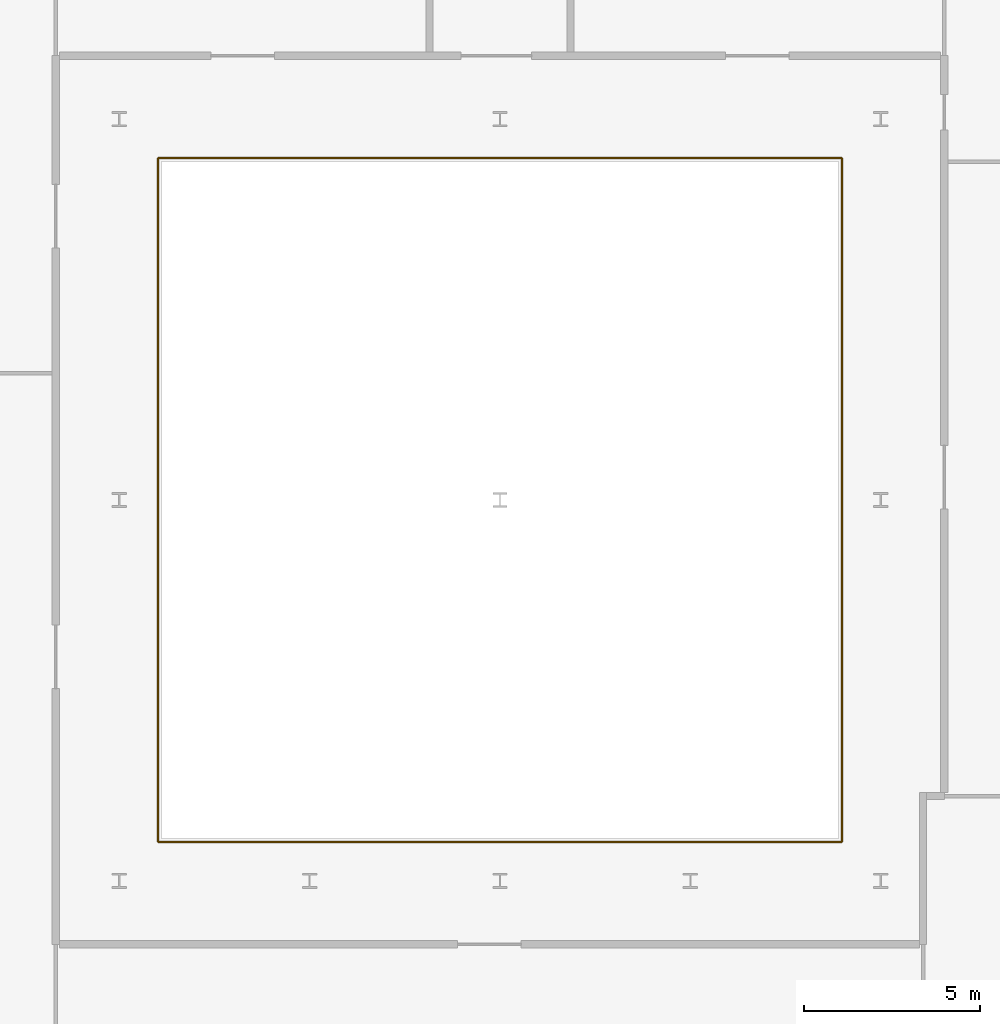
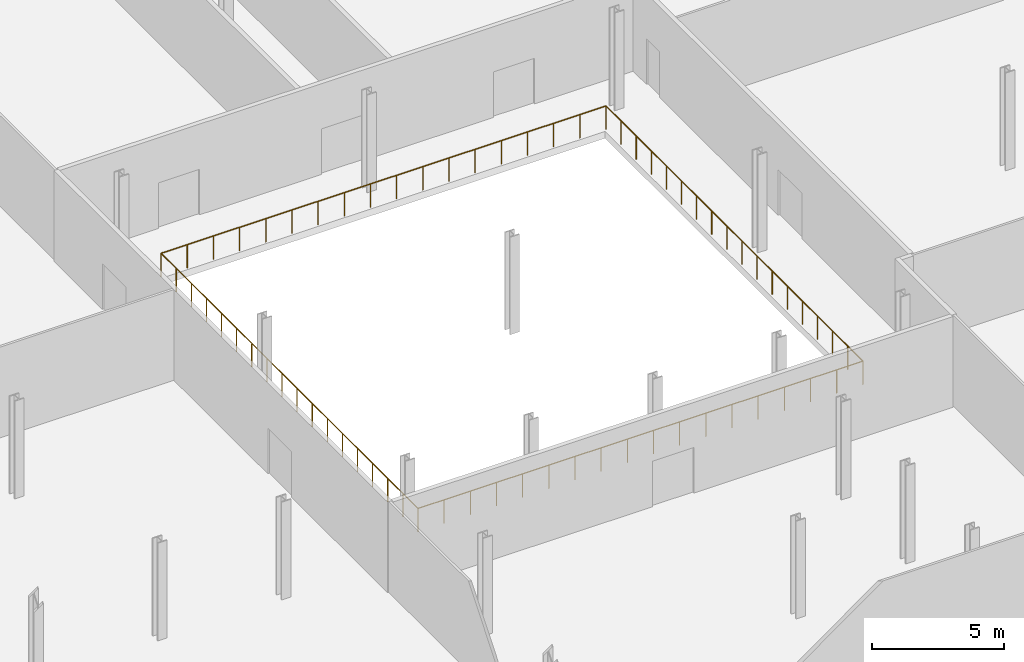
# One storey, part 43 of 47: 1 railing.
"""IFC4 building model written with IfcOpenShell, lengths in metres."""

from ifc_helpers import new_model, si_unit, direction, frame, origin, origin_2d, place, context, subcontext, project, spatial, circle, extrude, material, type_object, element, save


model = new_model("IFC4")

# Units and contexts
model_context = context("Model", 3, precision=1e-05, world=origin(), true_north=direction((0.0, 1.0)))
body_context = subcontext(model_context, "Body", "Model", "MODEL_VIEW")
ifc_project = project(units=[si_unit("LENGTHUNIT", "METRE"), si_unit("AREAUNIT", "SQUARE_METRE"), si_unit("VOLUMEUNIT", "CUBIC_METRE"), si_unit("PLANEANGLEUNIT", "RADIAN"), si_unit("MASSUNIT", "GRAM", prefix="KILO")], contexts=[model_context])

# Site, building, storey
site_placement = place(None, origin())
site = spatial("IfcSite", under=ifc_project, at=site_placement, CompositionType="ELEMENT")
building_placement = place(site_placement, origin())
building = spatial("IfcBuilding", under=site, at=building_placement, Name="Kheshtan School and Residences Tower", CompositionType="ELEMENT")
storey_placement = place(building_placement, frame((0.0, 0.0, 17.0)))
storey = spatial("IfcBuildingStorey", under=building, at=storey_placement, Name="L03", CompositionType="ELEMENT", Elevation=17.0)

# Railing
ifc_material = material(Name="Stainless steel balustrade", Category="steel")
railing_type = type_object("IfcRailingType", Name="Loggia guard 1100", PredefinedType="GUARDRAIL", material=ifc_material)
railing_placement = place(storey_placement, frame((89.699951171875, 46.699951171875, 0.0)))
element("IfcRailing", 1, at=railing_placement, inside=storey, type_object=railing_type, Name="Guard L03 A1", PredefinedType="GUARDRAIL", context=body_context, shape_type="SweptSolid", body=[
    extrude(circle(Radius=0.02392578125, at=origin_2d()), frame((0.0, 0.0, 1.076171875), z_axis=(-1.0, 0.0, 0.0), x_axis=(0.0, -1.0, 0.0)), (0.0, 0.0, 1.0), 19.39990234375),
    extrude(circle(Radius=0.02392578125, at=origin_2d()), frame((-19.39990234375, 0.0, 1.076171875), z_axis=(0.0, 1.0, 0.0), x_axis=(-1.0, 0.0, 0.0)), (0.0, 0.0, 1.0), 19.400146484375),
    extrude(circle(Radius=0.02392578125, at=origin_2d()), frame((-19.39990234375, 19.400146484375, 1.076171875), z_axis=(1.0, 0.0, 0.0), x_axis=(0.0, 1.0, 0.0)), (0.0, 0.0, 1.0), 19.39990234375),
    extrude(circle(Radius=0.02392578125, at=origin_2d()), frame((0.0, 19.400146484375, 1.076171875), z_axis=(0.0, -1.0, 0.0), x_axis=(1.0, 0.0, 0.0)), (0.0, 0.0, 1.0), 19.400146484375),
    extrude(circle(Radius=0.02099609375, at=origin_2d()), origin(), (0.0, 0.0, 1.0), 1.052001953125),
    extrude(circle(Radius=0.02099609375, at=origin_2d()), frame((-1.14111328125, 0.0, 0.0)), (0.0, 0.0, 1.0), 1.052001953125),
    extrude(circle(Radius=0.02099609375, at=origin_2d()), frame((-2.2822265625, 0.0, 0.0)), (0.0, 0.0, 1.0), 1.052001953125),
    extrude(circle(Radius=0.02099609375, at=origin_2d()), frame((-3.423583984375, 0.0, 0.0)), (0.0, 0.0, 1.0), 1.052001953125),
    extrude(circle(Radius=0.02099609375, at=origin_2d()), frame((-4.564697265625, 0.0, 0.0)), (0.0, 0.0, 1.0), 1.052001953125),
    extrude(circle(Radius=0.02099609375, at=origin_2d()), frame((-5.705810546875, 0.0, 0.0)), (0.0, 0.0, 1.0), 1.052001953125),
    extrude(circle(Radius=0.02099609375, at=origin_2d()), frame((-6.846923828125, 0.0, 0.0)), (0.0, 0.0, 1.0), 1.052001953125),
    extrude(circle(Radius=0.02099609375, at=origin_2d()), frame((-7.98828125, 0.0, 0.0)), (0.0, 0.0, 1.0), 1.052001953125),
    extrude(circle(Radius=0.02099609375, at=origin_2d()), frame((-9.12939453125, 0.0, 0.0)), (0.0, 0.0, 1.0), 1.052001953125),
    extrude(circle(Radius=0.02099609375, at=origin_2d()), frame((-10.2705078125, 0.0, 0.0)), (0.0, 0.0, 1.0), 1.052001953125),
    extrude(circle(Radius=0.02099609375, at=origin_2d()), frame((-11.41162109375, 0.0, 0.0)), (0.0, 0.0, 1.0), 1.052001953125),
    extrude(circle(Radius=0.02099609375, at=origin_2d()), frame((-12.552978515625, 0.0, 0.0)), (0.0, 0.0, 1.0), 1.052001953125),
    extrude(circle(Radius=0.02099609375, at=origin_2d()), frame((-13.694091796875, 0.0, 0.0)), (0.0, 0.0, 1.0), 1.052001953125),
    extrude(circle(Radius=0.02099609375, at=origin_2d()), frame((-14.835205078125, 0.0, 0.0)), (0.0, 0.0, 1.0), 1.052001953125),
    extrude(circle(Radius=0.02099609375, at=origin_2d()), frame((-15.976318359375, 0.0, 0.0)), (0.0, 0.0, 1.0), 1.052001953125),
    extrude(circle(Radius=0.02099609375, at=origin_2d()), frame((-17.11767578125, 0.0, 0.0)), (0.0, 0.0, 1.0), 1.052001953125),
    extrude(circle(Radius=0.02099609375, at=origin_2d()), frame((-18.2587890625, 0.0, 0.0)), (0.0, 0.0, 1.0), 1.052001953125),
    extrude(circle(Radius=0.02099609375, at=origin_2d()), frame((-19.39990234375, 0.0, 0.0)), (0.0, 0.0, 1.0), 1.052001953125),
    extrude(circle(Radius=0.02099609375, at=origin_2d()), frame((-19.39990234375, 1.14111328125, 0.0)), (0.0, 0.0, 1.0), 1.052001953125),
    extrude(circle(Radius=0.02099609375, at=origin_2d()), frame((-19.39990234375, 2.282470703125, 0.0)), (0.0, 0.0, 1.0), 1.052001953125),
    extrude(circle(Radius=0.02099609375, at=origin_2d()), frame((-19.39990234375, 3.423583984375, 0.0)), (0.0, 0.0, 1.0), 1.052001953125),
    extrude(circle(Radius=0.02099609375, at=origin_2d()), frame((-19.39990234375, 4.564697265625, 0.0)), (0.0, 0.0, 1.0), 1.052001953125),
    extrude(circle(Radius=0.02099609375, at=origin_2d()), frame((-19.39990234375, 5.705810546875, 0.0)), (0.0, 0.0, 1.0), 1.052001953125),
    extrude(circle(Radius=0.02099609375, at=origin_2d()), frame((-19.39990234375, 6.84716796875, 0.0)), (0.0, 0.0, 1.0), 1.052001953125),
    extrude(circle(Radius=0.02099609375, at=origin_2d()), frame((-19.39990234375, 7.98828125, 0.0)), (0.0, 0.0, 1.0), 1.052001953125),
    extrude(circle(Radius=0.02099609375, at=origin_2d()), frame((-19.39990234375, 9.12939453125, 0.0)), (0.0, 0.0, 1.0), 1.052001953125),
    extrude(circle(Radius=0.02099609375, at=origin_2d()), frame((-19.39990234375, 10.270751953125, 0.0)), (0.0, 0.0, 1.0), 1.052001953125),
    extrude(circle(Radius=0.02099609375, at=origin_2d()), frame((-19.39990234375, 11.411865234375, 0.0)), (0.0, 0.0, 1.0), 1.052001953125),
    extrude(circle(Radius=0.02099609375, at=origin_2d()), frame((-19.39990234375, 12.552978515625, 0.0)), (0.0, 0.0, 1.0), 1.052001953125),
    extrude(circle(Radius=0.02099609375, at=origin_2d()), frame((-19.39990234375, 13.6943359375, 0.0)), (0.0, 0.0, 1.0), 1.052001953125),
    extrude(circle(Radius=0.02099609375, at=origin_2d()), frame((-19.39990234375, 14.83544921875, 0.0)), (0.0, 0.0, 1.0), 1.052001953125),
    extrude(circle(Radius=0.02099609375, at=origin_2d()), frame((-19.39990234375, 15.9765625, 0.0)), (0.0, 0.0, 1.0), 1.052001953125),
    extrude(circle(Radius=0.02099609375, at=origin_2d()), frame((-19.39990234375, 17.11767578125, 0.0)), (0.0, 0.0, 1.0), 1.052001953125),
    extrude(circle(Radius=0.02099609375, at=origin_2d()), frame((-19.39990234375, 18.259033203125, 0.0)), (0.0, 0.0, 1.0), 1.052001953125),
    extrude(circle(Radius=0.02099609375, at=origin_2d()), frame((-19.39990234375, 19.400146484375, 0.0)), (0.0, 0.0, 1.0), 1.052001953125),
    extrude(circle(Radius=0.02099609375, at=origin_2d()), frame((-18.2587890625, 19.400146484375, 0.0)), (0.0, 0.0, 1.0), 1.052001953125),
    extrude(circle(Radius=0.02099609375, at=origin_2d()), frame((-17.11767578125, 19.400146484375, 0.0)), (0.0, 0.0, 1.0), 1.052001953125),
    extrude(circle(Radius=0.02099609375, at=origin_2d()), frame((-15.976318359375, 19.400146484375, 0.0)), (0.0, 0.0, 1.0), 1.052001953125),
    extrude(circle(Radius=0.02099609375, at=origin_2d()), frame((-14.835205078125, 19.400146484375, 0.0)), (0.0, 0.0, 1.0), 1.052001953125),
    extrude(circle(Radius=0.02099609375, at=origin_2d()), frame((-13.694091796875, 19.400146484375, 0.0)), (0.0, 0.0, 1.0), 1.052001953125),
    extrude(circle(Radius=0.02099609375, at=origin_2d()), frame((-12.552978515625, 19.400146484375, 0.0)), (0.0, 0.0, 1.0), 1.052001953125),
    extrude(circle(Radius=0.02099609375, at=origin_2d()), frame((-11.41162109375, 19.400146484375, 0.0)), (0.0, 0.0, 1.0), 1.052001953125),
    extrude(circle(Radius=0.02099609375, at=origin_2d()), frame((-10.2705078125, 19.400146484375, 0.0)), (0.0, 0.0, 1.0), 1.052001953125),
    extrude(circle(Radius=0.02099609375, at=origin_2d()), frame((-9.12939453125, 19.400146484375, 0.0)), (0.0, 0.0, 1.0), 1.052001953125),
    extrude(circle(Radius=0.02099609375, at=origin_2d()), frame((-7.98828125, 19.400146484375, 0.0)), (0.0, 0.0, 1.0), 1.052001953125),
    extrude(circle(Radius=0.02099609375, at=origin_2d()), frame((-6.846923828125, 19.400146484375, 0.0)), (0.0, 0.0, 1.0), 1.052001953125),
    extrude(circle(Radius=0.02099609375, at=origin_2d()), frame((-5.705810546875, 19.400146484375, 0.0)), (0.0, 0.0, 1.0), 1.052001953125),
    extrude(circle(Radius=0.02099609375, at=origin_2d()), frame((-4.564697265625, 19.400146484375, 0.0)), (0.0, 0.0, 1.0), 1.052001953125),
    extrude(circle(Radius=0.02099609375, at=origin_2d()), frame((-3.423583984375, 19.400146484375, 0.0)), (0.0, 0.0, 1.0), 1.052001953125),
    extrude(circle(Radius=0.02099609375, at=origin_2d()), frame((-2.2822265625, 19.400146484375, 0.0)), (0.0, 0.0, 1.0), 1.052001953125),
    extrude(circle(Radius=0.02099609375, at=origin_2d()), frame((-1.14111328125, 19.400146484375, 0.0)), (0.0, 0.0, 1.0), 1.052001953125),
    extrude(circle(Radius=0.02099609375, at=origin_2d()), frame((0.0, 19.400146484375, 0.0)), (0.0, 0.0, 1.0), 1.052001953125),
    extrude(circle(Radius=0.02099609375, at=origin_2d()), frame((0.0, 18.259033203125, 0.0)), (0.0, 0.0, 1.0), 1.052001953125),
    extrude(circle(Radius=0.02099609375, at=origin_2d()), frame((0.0, 17.11767578125, 0.0)), (0.0, 0.0, 1.0), 1.052001953125),
    extrude(circle(Radius=0.02099609375, at=origin_2d()), frame((0.0, 15.9765625, 0.0)), (0.0, 0.0, 1.0), 1.052001953125),
    extrude(circle(Radius=0.02099609375, at=origin_2d()), frame((0.0, 14.83544921875, 0.0)), (0.0, 0.0, 1.0), 1.052001953125),
    extrude(circle(Radius=0.02099609375, at=origin_2d()), frame((0.0, 13.6943359375, 0.0)), (0.0, 0.0, 1.0), 1.052001953125),
    extrude(circle(Radius=0.02099609375, at=origin_2d()), frame((0.0, 12.552978515625, 0.0)), (0.0, 0.0, 1.0), 1.052001953125),
    extrude(circle(Radius=0.02099609375, at=origin_2d()), frame((0.0, 11.411865234375, 0.0)), (0.0, 0.0, 1.0), 1.052001953125),
    extrude(circle(Radius=0.02099609375, at=origin_2d()), frame((0.0, 10.270751953125, 0.0)), (0.0, 0.0, 1.0), 1.052001953125),
    extrude(circle(Radius=0.02099609375, at=origin_2d()), frame((0.0, 9.12939453125, 0.0)), (0.0, 0.0, 1.0), 1.052001953125),
    extrude(circle(Radius=0.02099609375, at=origin_2d()), frame((0.0, 7.98828125, 0.0)), (0.0, 0.0, 1.0), 1.052001953125),
    extrude(circle(Radius=0.02099609375, at=origin_2d()), frame((0.0, 6.84716796875, 0.0)), (0.0, 0.0, 1.0), 1.052001953125),
    extrude(circle(Radius=0.02099609375, at=origin_2d()), frame((0.0, 5.705810546875, 0.0)), (0.0, 0.0, 1.0), 1.052001953125),
    extrude(circle(Radius=0.02099609375, at=origin_2d()), frame((0.0, 4.564697265625, 0.0)), (0.0, 0.0, 1.0), 1.052001953125),
    extrude(circle(Radius=0.02099609375, at=origin_2d()), frame((0.0, 3.423583984375, 0.0)), (0.0, 0.0, 1.0), 1.052001953125),
    extrude(circle(Radius=0.02099609375, at=origin_2d()), frame((0.0, 2.282470703125, 0.0)), (0.0, 0.0, 1.0), 1.052001953125),
    extrude(circle(Radius=0.02099609375, at=origin_2d()), frame((0.0, 1.14111328125, 0.0)), (0.0, 0.0, 1.0), 1.052001953125),
])

save(model, "model.ifc")
